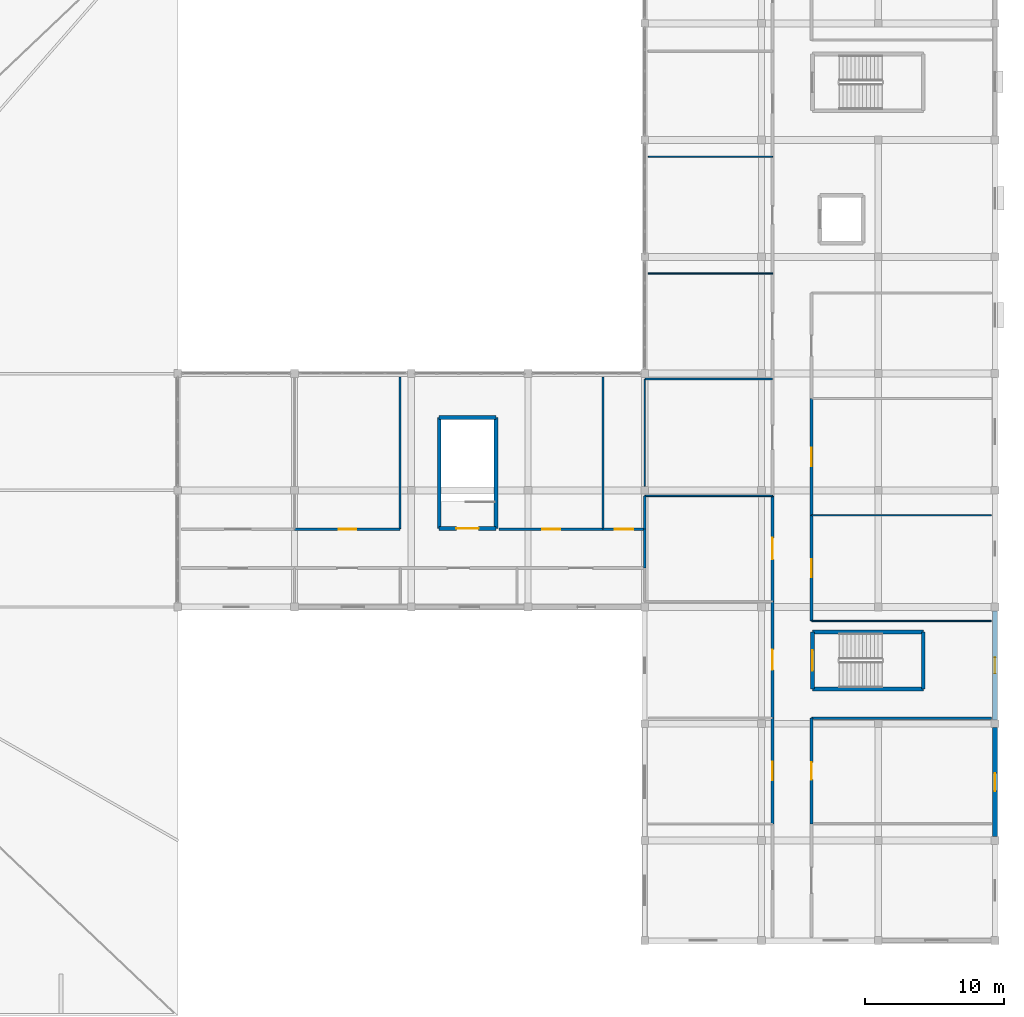
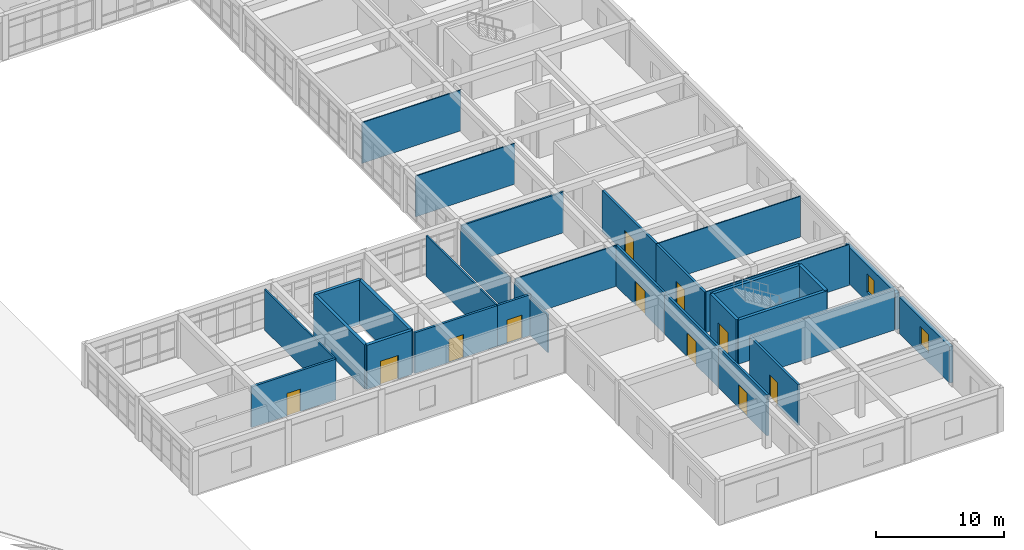
# One storey, part 55 of 77: 31 walls, 11 doors, 2 windows, 13 openings.
"""IFC4 building model written with IfcOpenShell, lengths in metres."""

from ifc_helpers import new_model, si_unit, direction, frame, frame_2d, origin, place, context, subcontext, project, spatial, rectangle, extrude, material, layer, layer_set, type_object, element, fill, save


model = new_model("IFC4")

# Units and contexts
model_context = context("Model", 3, precision=1e-05, world=origin(), true_north=direction((0.0, 1.0)))
body_context = subcontext(model_context, "Body", "Model", "MODEL_VIEW")
ifc_project = project(units=[si_unit("LENGTHUNIT", "METRE"), si_unit("AREAUNIT", "SQUARE_METRE"), si_unit("VOLUMEUNIT", "CUBIC_METRE"), si_unit("PLANEANGLEUNIT", "RADIAN"), si_unit("MASSUNIT", "GRAM", prefix="KILO")], contexts=[model_context])

# Site, building, storey
site_placement = place(None, origin())
site = spatial("IfcSite", under=ifc_project, at=site_placement, CompositionType="ELEMENT")
building_placement = place(site_placement, origin())
building = spatial("IfcBuilding", under=site, at=building_placement, Name="Varncliffe General Hospital", CompositionType="ELEMENT")
storey_placement = place(building_placement, frame((0.0, 0.0, 16.199951171875)))
storey = spatial("IfcBuildingStorey", under=building, at=storey_placement, Name="L03", CompositionType="ELEMENT", Elevation=16.199951171875)

# Wall, opening, window
ifc_material_1 = material(Name="Precast concrete C40/50 with insulated cream lime-cement stucco", Category="concrete")
ifc_layer_1 = layer(ifc_material_1, 0.330078125)
ifc_layer_set_1 = layer_set([ifc_layer_1], Name="Precast concrete C40/50 with insulated cream lime-cement stucco")
wall_type_1 = type_object("IfcWallType", Name="Exterior Insulated Stucco Wall EW33 (330mm)", PredefinedType="SOLIDWALL", material=ifc_layer_set_1)
wall_1_placement = place(storey_placement, frame((176.39990234375, 15.326904296875, 0.0), z_axis=(0.0, 0.0, 1.0), x_axis=(0.0, -1.0, 0.0)))
wall_1 = element("IfcWall", 1, at=wall_1_placement, inside=storey, type_object=wall_type_1, Name="L03 Exterior Stucco Wall EW33-273", PredefinedType="SOLIDWALL", context=body_context, shape_type="SweptSolid", body=[
    extrude(rectangle(XDim=7.85400390625, YDim=0.330078125, at=frame_2d((3.927001953125, 0.0))), origin(), (0.0, 0.0, 1.0), 3.47998046875),
])
opening_1_placement = place(wall_1_placement, frame((3.277099609375, 0.0, 0.89990234375)))
opening_1 = element("IfcOpeningElement", 2, at=opening_1_placement, cuts=wall_1, Name="Opening WN40", PredefinedType="OPENING", context=body_context, shape_type="SweptSolid", body=[
    extrude(rectangle(XDim=1.300048828125, YDim=1.75, at=frame_2d((0.64990234375, 0.875))), frame((0.0, 0.175048828125, 0.0), z_axis=(0.0, -1.0, 0.0), x_axis=(1.0, 0.0, 0.0)), (0.0, 0.0, 1.0), 0.35009765625),
])
ifc_material_2 = material(Name="Triple low-E argon insulated vision glazing", Category="glass")
window_type_1 = type_object("IfcWindowType", Name="Triple-Glazed Hospital Window WN40 (1300x1750)", PartitioningType="SINGLE_PANEL", PredefinedType="WINDOW", material=ifc_material_2)
window_1_placement = place(opening_1_placement, origin())
window_1 = element("IfcWindow", 3, at=window_1_placement, inside=storey, type_object=window_type_1, Name="L03 Hospital Window WN40-193", OverallHeight=1.75, OverallWidth=1.300048828125, PartitioningType="SINGLE_PANEL", PredefinedType="WINDOW", context=body_context, shape_type="SweptSolid", body=[
    extrude(rectangle(XDim=1.300048828125, YDim=1.75, at=frame_2d((0.64990234375, 0.875))), frame((0.0, 0.030029296875, 0.0), z_axis=(0.0, -1.0, 0.0), x_axis=(1.0, 0.0, 0.0)), (0.0, 0.0, 1.0), 0.06005859375),
])
fill(opening_1, window_1)

ifc_layer_2 = layer(ifc_material_1, 0.35009765625)
ifc_layer_set_2 = layer_set([ifc_layer_2], Name="Precast concrete C40/50 with insulated cream lime-cement stucco")
wall_type_2 = type_object("IfcWallType", Name="Exterior Insulated Stucco Wall EW37 (350mm)", PredefinedType="SOLIDWALL", material=ifc_layer_set_2)
wall_2_placement = place(storey_placement, frame((176.39990234375, 23.72705078125, 0.0), z_axis=(0.0, 0.0, 1.0), x_axis=(0.0, -1.0, 0.0)))
wall_2 = element("IfcWall", 4, at=wall_2_placement, inside=storey, type_object=wall_type_2, Name="L03 Exterior Stucco Wall EW37-272", PredefinedType="SOLIDWALL", context=body_context, shape_type="SweptSolid", body=[
    extrude(rectangle(XDim=7.85400390625, YDim=0.35009765625, at=frame_2d((3.927001953125, 0.0))), origin(), (0.0, 0.0, 1.0), 3.47998046875),
])
opening_2_placement = place(wall_2_placement, frame((3.35205078125, 0.0, 0.89990234375)))
opening_2 = element("IfcOpeningElement", 5, at=opening_2_placement, cuts=wall_2, Name="Opening WN60", PredefinedType="OPENING", context=body_context, shape_type="SweptSolid", body=[
    extrude(rectangle(XDim=1.14990234375, YDim=1.75, at=frame_2d((0.574951171875, 0.875))), frame((0.0, 0.18505859375, 0.0), z_axis=(0.0, -1.0, 0.0), x_axis=(1.0, 0.0, 0.0)), (0.0, 0.0, 1.0), 0.3701171875),
])
window_type_2 = type_object("IfcWindowType", Name="Triple-Glazed Hospital Window WN60 (1150x1750)", PartitioningType="SINGLE_PANEL", PredefinedType="WINDOW", material=ifc_material_2)
window_2_placement = place(opening_2_placement, origin())
window_2 = element("IfcWindow", 6, at=window_2_placement, inside=storey, type_object=window_type_2, Name="L03 Hospital Window WN60-192", OverallHeight=1.75, OverallWidth=1.14990234375, PartitioningType="SINGLE_PANEL", PredefinedType="WINDOW", context=body_context, shape_type="SweptSolid", body=[
    extrude(rectangle(XDim=1.14990234375, YDim=1.75, at=frame_2d((0.574951171875, 0.875))), frame((0.0, 0.030029296875, 0.0), z_axis=(0.0, -1.0, 0.0), x_axis=(1.0, 0.0, 0.0)), (0.0, 0.0, 1.0), 0.06005859375),
])
fill(opening_2, window_2)

# Walls
ifc_material_3 = material(Name="Acoustic clinical gypsum stud partition assembly", Category="gypsum")
ifc_layer_3 = layer(ifc_material_3, 0.169921875)
ifc_layer_set_3 = layer_set([ifc_layer_3], Name="Acoustic clinical gypsum stud partition assembly")
wall_type_3 = type_object("IfcWallType", Name="Interior Partitioning IW20 (170mm)", PredefinedType="PARTITIONING", material=ifc_layer_set_3)
wall_3_placement = place(storey_placement, frame((163.199951171875, 16.0, 0.0), z_axis=(0.0, 0.0, 1.0), x_axis=(1.0, 0.0, 0.0)))
element("IfcWall", 7, at=wall_3_placement, inside=storey, type_object=wall_type_3, Name="L03 Interior Partition Wall IW20-1325", PredefinedType="PARTITIONING", context=body_context, shape_type="SweptSolid", body=[
    extrude(rectangle(XDim=12.93994140625, YDim=0.169921875, at=frame_2d((6.469970703125, 0.0))), origin(), (0.0, 0.0, 1.0), 3.89013671875),
])
wall_4_placement = place(storey_placement, frame((151.199951171875, 29.60009765625, 0.0), z_axis=(0.0, 0.0, 1.0), x_axis=(0.0, 1.0, 0.0)))
element("IfcWall", 8, at=wall_4_placement, inside=storey, type_object=wall_type_3, Name="L03 Interior Partition Wall IW20-1635", PredefinedType="PARTITIONING", context=body_context, shape_type="SweptSolid", body=[
    extrude(rectangle(XDim=2.39990234375, YDim=0.169921875, at=frame_2d((1.199951171875, 0.0))), origin(), (0.0, 0.0, 1.0), 3.5849609375),
])
ifc_layer_4 = layer(ifc_material_3, 0.14990234375)
ifc_layer_set_4 = layer_set([ifc_layer_4], Name="Acoustic clinical gypsum stud partition assembly")
wall_type_4 = type_object("IfcWallType", Name="Interior Partitioning IW35 (150mm)", PredefinedType="PARTITIONING", material=ifc_layer_set_4)
wall_5_placement = place(storey_placement, frame((151.199951171875, 40.39990234375, 0.0), z_axis=(0.0, 0.0, 1.0), x_axis=(1.0, 0.0, 0.0)))
element("IfcWall", 9, at=wall_5_placement, inside=storey, type_object=wall_type_4, Name="L03 Interior Partition Wall IW35-1339", PredefinedType="PARTITIONING", context=body_context, shape_type="SweptSolid", body=[
    extrude(rectangle(XDim=9.199951171875, YDim=0.14990234375, at=frame_2d((4.60009765625, 0.0))), origin(), (0.0, 0.0, 1.0), 3.89013671875),
])
for number, where, z_axis, x_axis, name in (
    (10, (133.60009765625, 29.60009765625, 0.0), (0.0, 0.0, 1.0), (0.0, 1.0, 0.0), "L03 Interior Partition Wall IW35-1614"),
    (11, (148.199951171875, 29.60009765625, 0.0), (0.0, 0.0, 1.0), (0.0, 1.0, 0.0), "L03 Interior Partition Wall IW35-1629"),
):
    element("IfcWall", number, at=place(storey_placement, frame(where, z_axis=z_axis, x_axis=x_axis)), inside=storey, type_object=wall_type_4, Name=name, PredefinedType="PARTITIONING", context=body_context, shape_type="SweptSolid", body=[
        extrude(rectangle(XDim=10.93994140625, YDim=0.14990234375, at=frame_2d((5.469970703125, 0.0))), origin(), (0.0, 0.0, 1.0), 3.89013671875),
    ])
wall_6_placement = place(storey_placement, frame((151.199951171875, 26.800048828125, 0.0), z_axis=(0.0, 0.0, 1.0), x_axis=(0.0, 1.0, 0.0)))
element("IfcWall", 12, at=wall_6_placement, inside=storey, type_object=wall_type_4, Name="L03 Interior Partition Wall IW35-1634", PredefinedType="PARTITIONING", context=body_context, shape_type="SweptSolid", body=[
    extrude(rectangle(XDim=2.800048828125, YDim=0.14990234375, at=frame_2d((1.39990234375, 0.0))), origin(), (0.0, 0.0, 1.0), 3.5849609375),
])
ifc_layer_5 = layer(ifc_material_3, 0.090087890625)
ifc_layer_set_5 = layer_set([ifc_layer_5], Name="Acoustic clinical gypsum stud partition assembly")
wall_type_5 = type_object("IfcWallType", Name="Interior Partitioning IW42 (90mm)", PredefinedType="PARTITIONING", material=ifc_layer_set_5)
for number, where, z_axis, x_axis, name in (
    (13, (163.199951171875, 23.0, 0.0), (0.0, 0.0, 1.0), (1.0, 0.0, 0.0), "L03 Interior Partition Wall IW42-1326"),
    (14, (163.199951171875, 30.60009765625, 0.0), (0.0, 0.0, 1.0), (1.0, 0.0, 0.0), "L03 Interior Partition Wall IW42-1336"),
):
    element("IfcWall", number, at=place(storey_placement, frame(where, z_axis=z_axis, x_axis=x_axis)), inside=storey, type_object=wall_type_5, Name=name, PredefinedType="PARTITIONING", context=body_context, shape_type="SweptSolid", body=[
        extrude(rectangle(XDim=12.93994140625, YDim=0.090087890625, at=frame_2d((6.469970703125, 0.0))), origin(), (0.0, 0.0, 1.0), 3.89013671875),
    ])
for number, where, z_axis, x_axis, name in (
    (15, (151.4599609375, 48.0, 0.0), (0.0, 0.0, 1.0), (1.0, 0.0, 0.0), "L03 Interior Partition Wall IW42-1341"),
    (16, (151.4599609375, 56.39990234375, 0.0), (0.0, 0.0, 1.0), (1.0, 0.0, 0.0), "L03 Interior Partition Wall IW42-1346"),
):
    element("IfcWall", number, at=place(storey_placement, frame(where, z_axis=z_axis, x_axis=x_axis)), inside=storey, type_object=wall_type_5, Name=name, PredefinedType="PARTITIONING", context=body_context, shape_type="SweptSolid", body=[
        extrude(rectangle(XDim=8.93994140625, YDim=0.090087890625, at=frame_2d((4.469970703125, 0.0))), origin(), (0.0, 0.0, 1.0), 3.89013671875),
    ])
wall_7_placement = place(storey_placement, frame((151.199951171875, 32.68994140625, 0.0), z_axis=(0.0, 0.0, 1.0), x_axis=(0.0, 1.0, 0.0)))
element("IfcWall", 17, at=wall_7_placement, inside=storey, type_object=wall_type_5, Name="L03 Interior Partition Wall IW42-1636", PredefinedType="PARTITIONING", context=body_context, shape_type="SweptSolid", body=[
    extrude(rectangle(XDim=7.7099609375, YDim=0.090087890625, at=frame_2d((3.85498046875, 0.0))), origin(), (0.0, 0.0, 1.0), 3.5849609375),
])
ifc_layer_6 = layer(ifc_material_3, 0.110107421875)
ifc_layer_set_6 = layer_set([ifc_layer_6], Name="Acoustic clinical gypsum stud partition assembly")
wall_type_6 = type_object("IfcWallType", Name="Interior Partitioning IW65 (110mm)", PredefinedType="PARTITIONING", material=ifc_layer_set_6)
wall_8_placement = place(storey_placement, frame((151.199951171875, 32.0, 0.0), z_axis=(0.0, 0.0, 1.0), x_axis=(1.0, 0.0, 0.0)))
element("IfcWall", 18, at=wall_8_placement, inside=storey, type_object=wall_type_6, Name="L03 Interior Partition Wall IW65-1337", PredefinedType="PARTITIONING", context=body_context, shape_type="SweptSolid", body=[
    extrude(rectangle(XDim=9.199951171875, YDim=0.110107421875, at=frame_2d((4.60009765625, 0.0))), origin(), (0.0, 0.0, 1.0), 3.89013671875),
])

# Wall, opening, door
ifc_material_4 = material(Name="Fire-rated gypsum and mineral-wool partition assembly", Category="gypsum")
ifc_layer_7 = layer(ifc_material_4, 0.199951171875)
ifc_layer_set_7 = layer_set([ifc_layer_7], Name="Fire-rated gypsum and mineral-wool partition assembly")
wall_type_7 = type_object("IfcWallType", Name="Interior Partitioning PW63 (200mm)", PredefinedType="PARTITIONING", material=ifc_layer_set_7)
wall_9_placement = place(storey_placement, frame((126.0, 29.60009765625, 0.0), z_axis=(0.0, 0.0, 1.0), x_axis=(1.0, 0.0, 0.0)))
wall_9 = element("IfcWall", 19, at=wall_9_placement, inside=storey, type_object=wall_type_7, Name="L03 Interior Partition Wall PW63-1333", PredefinedType="PARTITIONING", context=body_context, shape_type="SweptSolid", body=[
    extrude(rectangle(XDim=7.60009765625, YDim=0.199951171875, at=frame_2d((3.800048828125, 0.0))), origin(), (0.0, 0.0, 1.0), 3.89013671875),
])
opening_3_placement = place(wall_9_placement, frame((3.175048828125, 0.0, 0.0)))
opening_3 = element("IfcOpeningElement", 20, at=opening_3_placement, cuts=wall_9, Name="Opening DC44", PredefinedType="OPENING", context=body_context, shape_type="SweptSolid", body=[
    extrude(rectangle(XDim=1.25, YDim=2.14990234375, at=frame_2d((0.625, 1.074951171875))), frame((0.0, 0.10986328125, 0.0), z_axis=(0.0, -1.0, 0.0), x_axis=(1.0, 0.0, 0.0)), (0.0, 0.0, 1.0), 0.219970703125),
])
ifc_material_5 = material(Name="Fire-rated hospital steel-frame vision-panel door", Category="steel")
door_type_1 = type_object("IfcDoorType", Name="Interior Hospital Door DC44 (1250x2150)", OperationType="NOTDEFINED", PredefinedType="DOOR", material=ifc_material_5)
door_1_placement = place(opening_3_placement, origin())
door_1 = element("IfcDoor", 21, at=door_1_placement, inside=storey, type_object=door_type_1, Name="L03 Renal Dialysis Treatment Bay 93 Door", OperationType="SINGLE_SWING_RIGHT", OverallHeight=2.14990234375, OverallWidth=1.25, PredefinedType="DOOR", context=body_context, shape_type="SweptSolid", body=[
    extrude(rectangle(XDim=1.25, YDim=2.14990234375, at=frame_2d((0.625, 1.074951171875))), frame((0.0, 0.02490234375, 0.0), z_axis=(0.0, -1.0, 0.0), x_axis=(1.0, 0.0, 0.0)), (0.0, 0.0, 1.0), 0.050048828125),
])
fill(opening_3, door_1)

wall_10_placement = place(storey_placement, frame((140.72216796875, 29.60009765625, 0.0), z_axis=(0.0, 0.0, 1.0), x_axis=(1.0, 0.0, 0.0)))
wall_10 = element("IfcWall", 22, at=wall_10_placement, inside=storey, type_object=wall_type_7, Name="L03 Interior Partition Wall PW63-1334", PredefinedType="PARTITIONING", context=body_context, shape_type="SweptSolid", body=[
    extrude(rectangle(XDim=7.477783203125, YDim=0.199951171875, at=frame_2d((3.73876953125, 0.0))), origin(), (0.0, 0.0, 1.0), 3.89013671875),
])
opening_4_placement = place(wall_10_placement, frame((3.089111328125, 0.0, 0.0)))
opening_4 = element("IfcOpeningElement", 23, at=opening_4_placement, cuts=wall_10, Name="Opening DC88", PredefinedType="OPENING", context=body_context, shape_type="SweptSolid", body=[
    extrude(rectangle(XDim=1.300048828125, YDim=2.199951171875, at=frame_2d((0.64990234375, 1.10009765625))), frame((0.0, 0.10986328125, 0.0), z_axis=(0.0, -1.0, 0.0), x_axis=(1.0, 0.0, 0.0)), (0.0, 0.0, 1.0), 0.219970703125),
])
door_type_2 = type_object("IfcDoorType", Name="Interior Hospital Door DC88 (1300x2200)", OperationType="NOTDEFINED", PredefinedType="DOOR", material=ifc_material_5)
door_2_placement = place(opening_4_placement, origin())
door_2 = element("IfcDoor", 24, at=door_2_placement, inside=storey, type_object=door_type_2, Name="L03 Renal Dialysis Treatment Bay 94 Door", OperationType="SINGLE_SWING_LEFT", OverallHeight=2.199951171875, OverallWidth=1.300048828125, PredefinedType="DOOR", context=body_context, shape_type="SweptSolid", body=[
    extrude(rectangle(XDim=1.300048828125, YDim=2.199951171875, at=frame_2d((0.64990234375, 1.10009765625))), frame((0.0, 0.02490234375, 0.0), z_axis=(0.0, -1.0, 0.0), x_axis=(1.0, 0.0, 0.0)), (0.0, 0.0, 1.0), 0.050048828125),
])
fill(opening_4, door_2)

wall_11_placement = place(storey_placement, frame((148.199951171875, 29.60009765625, 0.0), z_axis=(0.0, 0.0, 1.0), x_axis=(1.0, 0.0, 0.0)))
wall_11 = element("IfcWall", 25, at=wall_11_placement, inside=storey, type_object=wall_type_7, Name="L03 Interior Partition Wall PW63-1335", PredefinedType="PARTITIONING", context=body_context, shape_type="SweptSolid", body=[
    extrude(rectangle(XDim=3.0, YDim=0.199951171875, at=frame_2d((1.5, 0.0))), origin(), (0.0, 0.0, 1.0), 3.89013671875),
])
opening_5_placement = place(wall_11_placement, frame((0.824951171875, 0.0, 0.0)))
opening_5 = element("IfcOpeningElement", 26, at=opening_5_placement, cuts=wall_11, Name="Opening DC85", PredefinedType="OPENING", context=body_context, shape_type="SweptSolid", body=[
    extrude(rectangle(XDim=1.35009765625, YDim=2.199951171875, at=frame_2d((0.675048828125, 1.10009765625))), frame((0.0, 0.10986328125, 0.0), z_axis=(0.0, -1.0, 0.0), x_axis=(1.0, 0.0, 0.0)), (0.0, 0.0, 1.0), 0.219970703125),
])
door_type_3 = type_object("IfcDoorType", Name="Interior Hospital Door DC85 (1350x2200)", OperationType="NOTDEFINED", PredefinedType="DOOR", material=ifc_material_5)
door_3_placement = place(opening_5_placement, origin())
door_3 = element("IfcDoor", 27, at=door_3_placement, inside=storey, type_object=door_type_3, Name="L03 Oncology Chemotherapy Infusion Suite 95 Door", OperationType="SINGLE_SWING_RIGHT", OverallHeight=2.199951171875, OverallWidth=1.35009765625, PredefinedType="DOOR", context=body_context, shape_type="SweptSolid", body=[
    extrude(rectangle(XDim=1.35009765625, YDim=2.199951171875, at=frame_2d((0.675048828125, 1.10009765625))), frame((0.0, 0.02490234375, 0.0), z_axis=(0.0, -1.0, 0.0), x_axis=(1.0, 0.0, 0.0)), (0.0, 0.0, 1.0), 0.050048828125),
])
fill(opening_5, door_3)

wall_12_placement = place(storey_placement, frame((160.39990234375, 8.39990234375, 0.0), z_axis=(0.0, 0.0, 1.0), x_axis=(0.0, 1.0, 0.0)))
wall_12 = element("IfcWall", 28, at=wall_12_placement, inside=storey, type_object=wall_type_7, Name="L03 Interior Partition Wall PW63-1649", PredefinedType="PARTITIONING", context=body_context, shape_type="SweptSolid", body=[
    extrude(rectangle(XDim=7.60009765625, YDim=0.199951171875, at=frame_2d((3.800048828125, 0.0))), origin(), (0.0, 0.0, 1.0), 3.89013671875),
])
opening_6_placement = place(wall_12_placement, frame((3.125, 0.0, 0.0)))
opening_6 = element("IfcOpeningElement", 29, at=opening_6_placement, cuts=wall_12, Name="Opening DC85", PredefinedType="OPENING", context=body_context, shape_type="SweptSolid", body=[
    extrude(rectangle(XDim=1.35009765625, YDim=2.199951171875, at=frame_2d((0.675048828125, 1.10009765625))), frame((0.0, 0.10986328125, 0.0), z_axis=(0.0, -1.0, 0.0), x_axis=(1.0, 0.0, 0.0)), (0.0, 0.0, 1.0), 0.219970703125),
])
door_4_placement = place(opening_6_placement, origin())
door_4 = element("IfcDoor", 30, at=door_4_placement, inside=storey, type_object=door_type_3, Name="L03 Renal Dialysis Treatment Bay 76 Door", OperationType="SINGLE_SWING_RIGHT", OverallHeight=2.199951171875, OverallWidth=1.35009765625, PredefinedType="DOOR", context=body_context, shape_type="SweptSolid", body=[
    extrude(rectangle(XDim=1.35009765625, YDim=2.199951171875, at=frame_2d((0.675048828125, 1.10009765625))), frame((0.0, 0.02490234375, 0.0), z_axis=(0.0, -1.0, 0.0), x_axis=(1.0, 0.0, 0.0)), (0.0, 0.0, 1.0), 0.050048828125),
])
fill(opening_6, door_4)

wall_13_placement = place(storey_placement, frame((160.39990234375, 16.0, 0.0), z_axis=(0.0, 0.0, 1.0), x_axis=(0.0, 1.0, 0.0)))
wall_13 = element("IfcWall", 31, at=wall_13_placement, inside=storey, type_object=wall_type_7, Name="L03 Interior Partition Wall PW63-1650", PredefinedType="PARTITIONING", context=body_context, shape_type="SweptSolid", body=[
    extrude(rectangle(XDim=8.39990234375, YDim=0.199951171875, at=frame_2d((4.199951171875, 0.0))), origin(), (0.0, 0.0, 1.0), 3.89013671875),
])
opening_7_placement = place(wall_13_placement, frame((3.47509765625, 0.0, 0.0)))
opening_7 = element("IfcOpeningElement", 32, at=opening_7_placement, cuts=wall_13, Name="Opening DC66", PredefinedType="OPENING", context=body_context, shape_type="SweptSolid", body=[
    extrude(rectangle(XDim=1.449951171875, YDim=2.25, at=frame_2d((0.72509765625, 1.125))), frame((0.0, 0.10986328125, 0.0), z_axis=(0.0, -1.0, 0.0), x_axis=(1.0, 0.0, 0.0)), (0.0, 0.0, 1.0), 0.219970703125),
])
door_type_4 = type_object("IfcDoorType", Name="Interior Hospital Door DC66 (1450x2250)", OperationType="NOTDEFINED", PredefinedType="DOOR", material=ifc_material_5)
door_5_placement = place(opening_7_placement, origin())
door_5 = element("IfcDoor", 33, at=door_5_placement, inside=storey, type_object=door_type_4, Name="L03 Oncology Chemotherapy Infusion Suite 77 Door", OperationType="SINGLE_SWING_LEFT", OverallHeight=2.25, OverallWidth=1.449951171875, PredefinedType="DOOR", context=body_context, shape_type="SweptSolid", body=[
    extrude(rectangle(XDim=1.449951171875, YDim=2.25, at=frame_2d((0.72509765625, 1.125))), frame((0.0, 0.02490234375, 0.0), z_axis=(0.0, -1.0, 0.0), x_axis=(1.0, 0.0, 0.0)), (0.0, 0.0, 1.0), 0.050048828125),
])
fill(opening_7, door_5)

wall_14_placement = place(storey_placement, frame((160.39990234375, 24.39990234375, 0.0), z_axis=(0.0, 0.0, 1.0), x_axis=(0.0, 1.0, 0.0)))
wall_14 = element("IfcWall", 34, at=wall_14_placement, inside=storey, type_object=wall_type_7, Name="L03 Interior Partition Wall PW63-1651", PredefinedType="PARTITIONING", context=body_context, shape_type="SweptSolid", body=[
    extrude(rectangle(XDim=7.60009765625, YDim=0.199951171875, at=frame_2d((3.800048828125, 0.0))), origin(), (0.0, 0.0, 1.0), 3.89013671875),
])
opening_8_placement = place(wall_14_placement, frame((3.02490234375, 0.0, 0.0)))
opening_8 = element("IfcOpeningElement", 35, at=opening_8_placement, cuts=wall_14, Name="Opening DC67", PredefinedType="OPENING", context=body_context, shape_type="SweptSolid", body=[
    extrude(rectangle(XDim=1.550048828125, YDim=2.25, at=frame_2d((0.77490234375, 1.125))), frame((0.0, 0.10986328125, 0.0), z_axis=(0.0, -1.0, 0.0), x_axis=(1.0, 0.0, 0.0)), (0.0, 0.0, 1.0), 0.219970703125),
])
door_type_5 = type_object("IfcDoorType", Name="Interior Hospital Door DC67 (1550x2250)", OperationType="NOTDEFINED", PredefinedType="DOOR", material=ifc_material_5)
door_6_placement = place(opening_8_placement, origin())
door_6 = element("IfcDoor", 36, at=door_6_placement, inside=storey, type_object=door_type_5, Name="L03 Renal Dialysis Treatment Bay 78 Door", OperationType="SINGLE_SWING_RIGHT", OverallHeight=2.25, OverallWidth=1.550048828125, PredefinedType="DOOR", context=body_context, shape_type="SweptSolid", body=[
    extrude(rectangle(XDim=1.550048828125, YDim=2.25, at=frame_2d((0.77490234375, 1.125))), frame((0.0, 0.02490234375, 0.0), z_axis=(0.0, -1.0, 0.0), x_axis=(1.0, 0.0, 0.0)), (0.0, 0.0, 1.0), 0.050048828125),
])
fill(opening_8, door_6)

wall_15_placement = place(storey_placement, frame((163.199951171875, 8.39990234375, 0.0), z_axis=(0.0, 0.0, 1.0), x_axis=(0.0, 1.0, 0.0)))
wall_15 = element("IfcWall", 37, at=wall_15_placement, inside=storey, type_object=wall_type_7, Name="L03 Interior Partition Wall PW63-1661", PredefinedType="PARTITIONING", context=body_context, shape_type="SweptSolid", body=[
    extrude(rectangle(XDim=7.60009765625, YDim=0.199951171875, at=frame_2d((3.800048828125, 0.0))), origin(), (0.0, 0.0, 1.0), 3.89013671875),
])
opening_9_placement = place(wall_15_placement, frame((3.175048828125, 0.0, 0.0)))
opening_9 = element("IfcOpeningElement", 38, at=opening_9_placement, cuts=wall_15, Name="Opening DC44", PredefinedType="OPENING", context=body_context, shape_type="SweptSolid", body=[
    extrude(rectangle(XDim=1.25, YDim=2.14990234375, at=frame_2d((0.625, 1.074951171875))), frame((0.0, 0.10986328125, 0.0), z_axis=(0.0, -1.0, 0.0), x_axis=(1.0, 0.0, 0.0)), (0.0, 0.0, 1.0), 0.219970703125),
])
door_7_placement = place(opening_9_placement, frame((1.25, 0.0, 0.0), z_axis=(0.0, 0.0, 1.0), x_axis=(-1.0, 0.0, 0.0)))
door_7 = element("IfcDoor", 39, at=door_7_placement, inside=storey, type_object=door_type_1, Name="L03 Renal Dialysis Treatment Bay 86 Door", OperationType="SINGLE_SWING_RIGHT", OverallHeight=2.14990234375, OverallWidth=1.25, PredefinedType="DOOR", context=body_context, shape_type="SweptSolid", body=[
    extrude(rectangle(XDim=1.25, YDim=2.14990234375, at=frame_2d((0.625, 1.074951171875))), frame((0.0, 0.02490234375, 0.0), z_axis=(0.0, -1.0, 0.0), x_axis=(1.0, 0.0, 0.0)), (0.0, 0.0, 1.0), 0.050048828125),
])
fill(opening_9, door_7)

wall_16_placement = place(storey_placement, frame((163.199951171875, 23.0, 0.0), z_axis=(0.0, 0.0, 1.0), x_axis=(0.0, 1.0, 0.0)))
wall_16 = element("IfcWall", 40, at=wall_16_placement, inside=storey, type_object=wall_type_7, Name="L03 Interior Partition Wall PW63-1662", PredefinedType="PARTITIONING", context=body_context, shape_type="SweptSolid", body=[
    extrude(rectangle(XDim=7.60009765625, YDim=0.199951171875, at=frame_2d((3.800048828125, 0.0))), origin(), (0.0, 0.0, 1.0), 3.89013671875),
])
opening_10_placement = place(wall_16_placement, frame((3.14990234375, 0.0, 0.0)))
opening_10 = element("IfcOpeningElement", 41, at=opening_10_placement, cuts=wall_16, Name="Opening DC88", PredefinedType="OPENING", context=body_context, shape_type="SweptSolid", body=[
    extrude(rectangle(XDim=1.300048828125, YDim=2.199951171875, at=frame_2d((0.64990234375, 1.10009765625))), frame((0.0, 0.10986328125, 0.0), z_axis=(0.0, -1.0, 0.0), x_axis=(1.0, 0.0, 0.0)), (0.0, 0.0, 1.0), 0.219970703125),
])
door_8_placement = place(opening_10_placement, frame((1.300048828125, 0.0, 0.0), z_axis=(0.0, 0.0, 1.0), x_axis=(-1.0, 0.0, 0.0)))
door_8 = element("IfcDoor", 42, at=door_8_placement, inside=storey, type_object=door_type_2, Name="L03 Renal Dialysis Treatment Bay 87 Door", OperationType="SINGLE_SWING_LEFT", OverallHeight=2.199951171875, OverallWidth=1.300048828125, PredefinedType="DOOR", context=body_context, shape_type="SweptSolid", body=[
    extrude(rectangle(XDim=1.300048828125, YDim=2.199951171875, at=frame_2d((0.64990234375, 1.10009765625))), frame((0.0, 0.02490234375, 0.0), z_axis=(0.0, -1.0, 0.0), x_axis=(1.0, 0.0, 0.0)), (0.0, 0.0, 1.0), 0.050048828125),
])
fill(opening_10, door_8)

wall_17_placement = place(storey_placement, frame((163.199951171875, 30.60009765625, 0.0), z_axis=(0.0, 0.0, 1.0), x_axis=(0.0, 1.0, 0.0)))
wall_17 = element("IfcWall", 43, at=wall_17_placement, inside=storey, type_object=wall_type_7, Name="L03 Interior Partition Wall PW63-1663", PredefinedType="PARTITIONING", context=body_context, shape_type="SweptSolid", body=[
    extrude(rectangle(XDim=8.39990234375, YDim=0.199951171875, at=frame_2d((4.199951171875, 0.0))), origin(), (0.0, 0.0, 1.0), 3.89013671875),
])
opening_11_placement = place(wall_17_placement, frame((3.52490234375, 0.0, 0.0)))
opening_11 = element("IfcOpeningElement", 44, at=opening_11_placement, cuts=wall_17, Name="Opening DC85", PredefinedType="OPENING", context=body_context, shape_type="SweptSolid", body=[
    extrude(rectangle(XDim=1.35009765625, YDim=2.199951171875, at=frame_2d((0.675048828125, 1.10009765625))), frame((0.0, 0.10986328125, 0.0), z_axis=(0.0, -1.0, 0.0), x_axis=(1.0, 0.0, 0.0)), (0.0, 0.0, 1.0), 0.219970703125),
])
door_9_placement = place(opening_11_placement, frame((1.35009765625, 0.0, 0.0), z_axis=(0.0, 0.0, 1.0), x_axis=(-1.0, 0.0, 0.0)))
door_9 = element("IfcDoor", 45, at=door_9_placement, inside=storey, type_object=door_type_3, Name="L03 Oncology Chemotherapy Infusion Suite 88 Door", OperationType="SINGLE_SWING_RIGHT", OverallHeight=2.199951171875, OverallWidth=1.35009765625, PredefinedType="DOOR", context=body_context, shape_type="SweptSolid", body=[
    extrude(rectangle(XDim=1.35009765625, YDim=2.199951171875, at=frame_2d((0.675048828125, 1.10009765625))), frame((0.0, 0.02490234375, 0.0), z_axis=(0.0, -1.0, 0.0), x_axis=(1.0, 0.0, 0.0)), (0.0, 0.0, 1.0), 0.050048828125),
])
fill(opening_11, door_9)

# Walls
ifc_material_6 = material(Name="Concrete C40/50 (CSA A23.1 40 MPa)", Category="concrete")
ifc_layer_8 = layer(ifc_material_6, 0.280029296875)
ifc_layer_set_8 = layer_set([ifc_layer_8], Name="Concrete C40/50 (CSA A23.1 40 MPa)")
wall_type_8 = type_object("IfcWallType", Name="Reinforced Concrete Core Shear Wall CW13 (280mm)", PredefinedType="SHEAR", material=ifc_layer_set_8)
wall_18_placement = place(storey_placement, frame((163.260009765625, 18.110107421875, 0.0), z_axis=(0.0, 0.0, 1.0), x_axis=(1.0, 0.0, 0.0)))
element("IfcWall", 46, at=wall_18_placement, inside=storey, type_object=wall_type_8, Name="L03 ST11 Core Shear Wall L", PredefinedType="SHEAR", context=body_context, shape_type="SweptSolid", body=[
    extrude(rectangle(XDim=7.97998046875, YDim=0.280029296875, at=frame_2d((3.989990234375, 0.0))), origin(), (0.0, 0.0, 1.0), 4.199951171875),
])
wall_19_placement = place(storey_placement, frame((171.239990234375, 18.110107421875, 0.0), z_axis=(0.0, 0.0, 1.0), x_axis=(0.0, 1.0, 0.0)))
element("IfcWall", 47, at=wall_19_placement, inside=storey, type_object=wall_type_8, Name="L03 ST11 Core Shear Wall F", PredefinedType="SHEAR", context=body_context, shape_type="SweptSolid", body=[
    extrude(rectangle(XDim=4.079833984375, YDim=0.280029296875, at=frame_2d((2.0400390625, 0.0))), origin(), (0.0, 0.0, 1.0), 4.199951171875),
])
wall_20_placement = place(storey_placement, frame((171.239990234375, 22.18994140625, 0.0), z_axis=(0.0, 0.0, 1.0), x_axis=(-1.0, 0.0, 0.0)))
element("IfcWall", 48, at=wall_20_placement, inside=storey, type_object=wall_type_8, Name="L03 ST11 Core Shear Wall R", PredefinedType="SHEAR", context=body_context, shape_type="SweptSolid", body=[
    extrude(rectangle(XDim=7.97998046875, YDim=0.280029296875, at=frame_2d((3.989990234375, 0.0))), origin(), (0.0, 0.0, 1.0), 4.199951171875),
])

# Wall, opening, door
wall_21_placement = place(storey_placement, frame((163.260009765625, 22.18994140625, 0.0), z_axis=(0.0, 0.0, 1.0), x_axis=(0.0, -1.0, 0.0)))
wall_21 = element("IfcWall", 49, at=wall_21_placement, inside=storey, type_object=wall_type_8, Name="L03 ST11 Core Shear Wall N", PredefinedType="SHEAR", context=body_context, shape_type="SweptSolid", body=[
    extrude(rectangle(XDim=4.079833984375, YDim=0.280029296875, at=frame_2d((2.0400390625, 0.0))), origin(), (0.0, 0.0, 1.0), 4.199951171875),
])
opening_12_placement = place(wall_21_placement, frame((1.2900390625, 0.0, 0.0)))
opening_12 = element("IfcOpeningElement", 50, at=opening_12_placement, cuts=wall_21, Name="Opening DF28", PredefinedType="OPENING", context=body_context, shape_type="SweptSolid", body=[
    extrude(rectangle(XDim=1.5, YDim=2.199951171875, at=frame_2d((0.75, 1.10009765625))), frame((0.0, 0.14990234375, 0.0), z_axis=(0.0, -1.0, 0.0), x_axis=(1.0, 0.0, 0.0)), (0.0, 0.0, 1.0), 0.300048828125),
])
door_type_6 = type_object("IfcDoorType", Name="Interior Hospital Door DF28 (1500x2200)", OperationType="NOTDEFINED", PredefinedType="DOOR", material=ifc_material_5)
door_10_placement = place(opening_12_placement, frame((1.5, 0.0, 0.0), z_axis=(0.0, 0.0, 1.0), x_axis=(-1.0, 0.0, 0.0)))
door_10 = element("IfcDoor", 51, at=door_10_placement, inside=storey, type_object=door_type_6, Name="L03 ST11 Protected Exit Stair Door", OperationType="SINGLE_SWING_LEFT", OverallHeight=2.199951171875, OverallWidth=1.5, PredefinedType="DOOR", context=body_context, shape_type="SweptSolid", body=[
    extrude(rectangle(XDim=1.5, YDim=2.199951171875, at=frame_2d((0.75, 1.10009765625))), frame((0.0, 0.02490234375, 0.0), z_axis=(0.0, -1.0, 0.0), x_axis=(1.0, 0.0, 0.0)), (0.0, 0.0, 1.0), 0.050048828125),
])
fill(opening_12, door_10)

# Walls
wall_22_placement = place(storey_placement, frame((140.489990234375, 29.659912109375, 0.0), z_axis=(0.0, 0.0, 1.0), x_axis=(0.0, 1.0, 0.0)))
element("IfcWall", 52, at=wall_22_placement, inside=storey, type_object=wall_type_8, Name="L03 ST15 Core Shear Wall L", PredefinedType="SHEAR", context=body_context, shape_type="SweptSolid", body=[
    extrude(rectangle(XDim=7.97998046875, YDim=0.280029296875, at=frame_2d((3.989990234375, 0.0))), origin(), (0.0, 0.0, 1.0), 4.199951171875),
])
wall_23_placement = place(storey_placement, frame((140.489990234375, 37.639892578125, 0.0), z_axis=(0.0, 0.0, 1.0), x_axis=(-1.0, 0.0, 0.0)))
element("IfcWall", 53, at=wall_23_placement, inside=storey, type_object=wall_type_8, Name="L03 ST15 Core Shear Wall F", PredefinedType="SHEAR", context=body_context, shape_type="SweptSolid", body=[
    extrude(rectangle(XDim=4.080078125, YDim=0.280029296875, at=frame_2d((2.0400390625, 0.0))), origin(), (0.0, 0.0, 1.0), 4.199951171875),
])
wall_24_placement = place(storey_placement, frame((136.409912109375, 37.639892578125, 0.0), z_axis=(0.0, 0.0, 1.0), x_axis=(0.0, -1.0, 0.0)))
element("IfcWall", 54, at=wall_24_placement, inside=storey, type_object=wall_type_8, Name="L03 ST15 Core Shear Wall R", PredefinedType="SHEAR", context=body_context, shape_type="SweptSolid", body=[
    extrude(rectangle(XDim=7.97998046875, YDim=0.280029296875, at=frame_2d((3.989990234375, 0.0))), origin(), (0.0, 0.0, 1.0), 4.199951171875),
])

# Wall, opening, door
wall_25_placement = place(storey_placement, frame((136.409912109375, 29.659912109375, 0.0), z_axis=(0.0, 0.0, 1.0), x_axis=(1.0, 0.0, 0.0)))
wall_25 = element("IfcWall", 55, at=wall_25_placement, inside=storey, type_object=wall_type_8, Name="L03 ST15 Core Shear Wall N", PredefinedType="SHEAR", context=body_context, shape_type="SweptSolid", body=[
    extrude(rectangle(XDim=4.080078125, YDim=0.280029296875, at=frame_2d((2.0400390625, 0.0))), origin(), (0.0, 0.0, 1.0), 4.199951171875),
])
opening_13_placement = place(wall_25_placement, frame((1.239990234375, 0.0, 0.0)))
opening_13 = element("IfcOpeningElement", 56, at=opening_13_placement, cuts=wall_25, Name="Opening DF27", PredefinedType="OPENING", context=body_context, shape_type="SweptSolid", body=[
    extrude(rectangle(XDim=1.60009765625, YDim=2.25, at=frame_2d((0.800048828125, 1.125))), frame((0.0, 0.14990234375, 0.0), z_axis=(0.0, -1.0, 0.0), x_axis=(1.0, 0.0, 0.0)), (0.0, 0.0, 1.0), 0.300048828125),
])
door_type_7 = type_object("IfcDoorType", Name="Interior Hospital Door DF27 (1600x2250)", OperationType="NOTDEFINED", PredefinedType="DOOR", material=ifc_material_5)
door_11_placement = place(opening_13_placement, frame((1.60009765625, 0.0, 0.0), z_axis=(0.0, 0.0, 1.0), x_axis=(-1.0, 0.0, 0.0)))
door_11 = element("IfcDoor", 57, at=door_11_placement, inside=storey, type_object=door_type_7, Name="L03 ST15 Protected Exit Stair Door", OperationType="SINGLE_SWING_LEFT", OverallHeight=2.25, OverallWidth=1.60009765625, PredefinedType="DOOR", context=body_context, shape_type="SweptSolid", body=[
    extrude(rectangle(XDim=1.60009765625, YDim=2.25, at=frame_2d((0.800048828125, 1.125))), frame((0.0, 0.02490234375, 0.0), z_axis=(0.0, -1.0, 0.0), x_axis=(1.0, 0.0, 0.0)), (0.0, 0.0, 1.0), 0.050048828125),
])
fill(opening_13, door_11)

save(model, "model.ifc")
